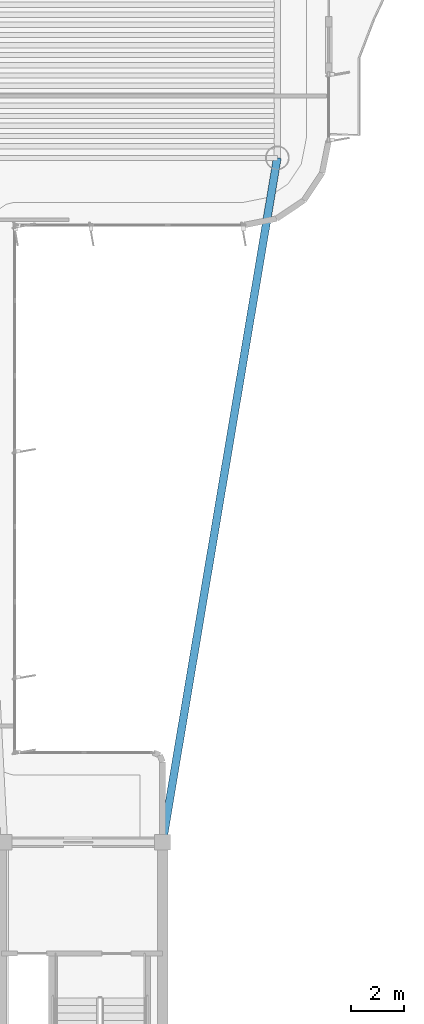
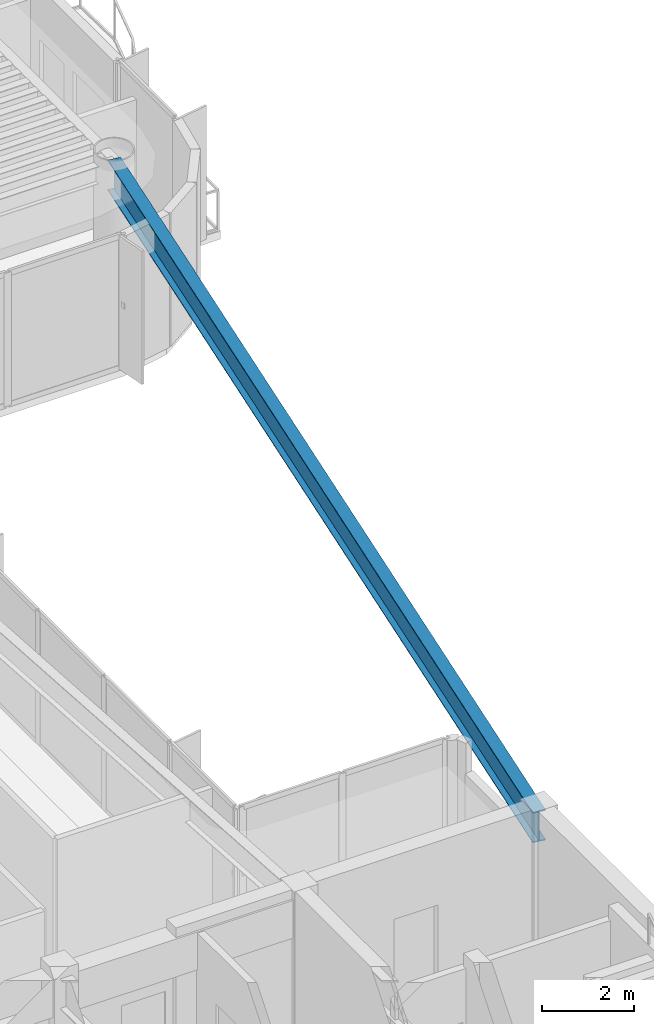
# One storey, part 4 of 15: 1 beam.
"""IFC4 building model written with IfcOpenShell, lengths in metres."""

from ifc_helpers import new_model, si_unit, direction, frame, origin, origin_2d, place, context, subcontext, project, spatial, i_section, extrude, source, transform, mapped, material, material_profile, profile_set, type_object, element, save


model = new_model("IFC4")

# Units and contexts
model_context = context("Model", 3, precision=1e-05, world=origin(), true_north=direction((0.0, 1.0)))
body_context = subcontext(model_context, "Body", "Model", "MODEL_VIEW")
ifc_project = project(units=[si_unit("LENGTHUNIT", "METRE"), si_unit("AREAUNIT", "SQUARE_METRE"), si_unit("VOLUMEUNIT", "CUBIC_METRE"), si_unit("PLANEANGLEUNIT", "RADIAN"), si_unit("MASSUNIT", "GRAM", prefix="KILO")], contexts=[model_context])

# Site, building, storey
site_placement = place(None, origin())
site = spatial("IfcSite", under=ifc_project, at=site_placement, CompositionType="ELEMENT")
building_placement = place(site_placement, origin())
building = spatial("IfcBuilding", under=site, at=building_placement, Name="Brelvock Crest Care Tower", CompositionType="ELEMENT")
storey_placement = place(building_placement, frame((0.0, 0.0, 260.820068359375)))
storey = spatial("IfcBuildingStorey", under=building, at=storey_placement, Name="L66", CompositionType="ELEMENT", Elevation=260.820068359375)

# Beam
ifc_material = material(Name="Steel Grade 350", Category="steel")
ifc_material_profile = material_profile(ifc_material, i_section(OverallWidth=0.300048828125, OverallDepth=0.800048828125, WebThickness=0.013916015625, FlangeThickness=0.02197265625, at=origin_2d()), Name="800WB192")
ifc_profile_set = profile_set([ifc_material_profile], Name="Steel Grade 350")
beam_type = type_object("IfcBeamType", Name="BM-G5", PredefinedType="BEAM", material=ifc_profile_set)
shared_shape = source(origin(), body_context, "Body", "SweptSolid", [
    extrude(i_section(OverallWidth=0.300048828125, OverallDepth=0.800048828125, WebThickness=0.013916015625, FlangeThickness=0.02197265625, at=origin_2d()), origin(), (0.0, 0.0, 1.0), 26.31201171875),
])
beam_placement = place(storey_placement, frame((48.0, 18.0, 3.1298828125), z_axis=(0.165327282709, 0.986238758918, 0.0), x_axis=(-0.986238758918, 0.165327282709, 0.0)))
element("IfcBeam", 1, at=beam_placement, inside=storey, type_object=beam_type, Name="BM-THRO-E-L66", PredefinedType="BEAM", context=body_context, shape_type="MappedRepresentation", body=[
    mapped(shared_shape, transform((0.0, 0.0, 0.0), x_axis=(1.0, 0.0, 0.0), y_axis=(0.0, 1.0, 0.0), z_axis=(0.0, 0.0, 1.0), scale=1.0)),
])

save(model, "model.ifc")
